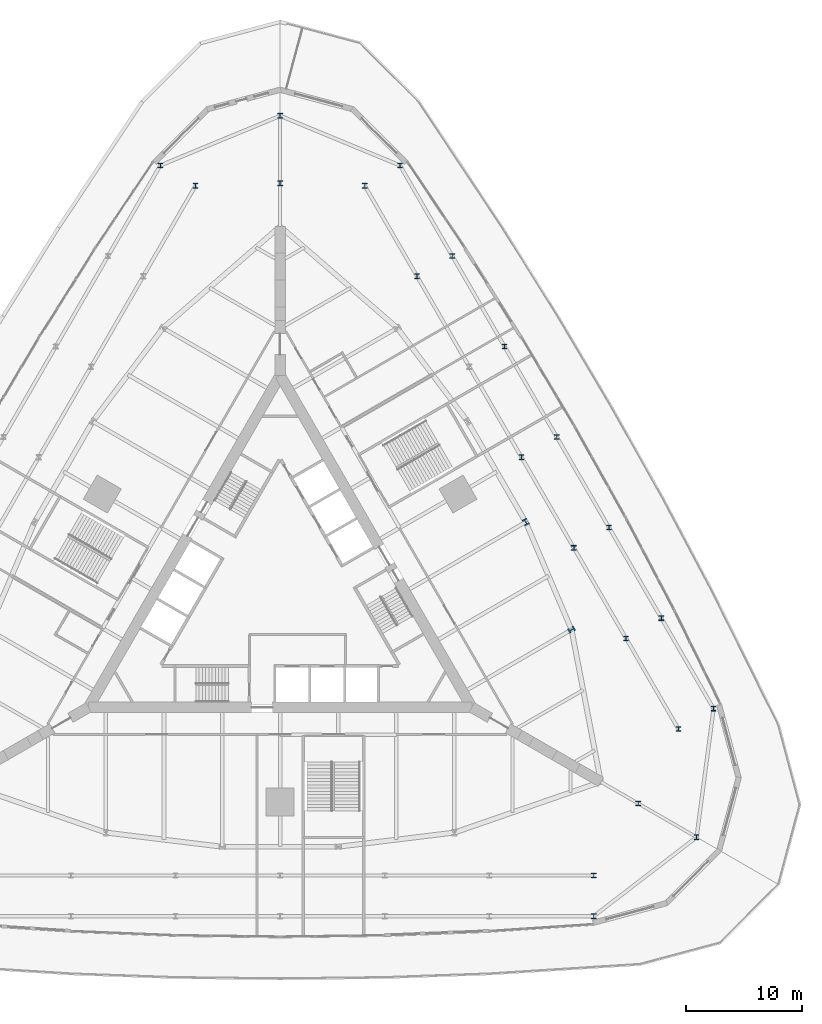
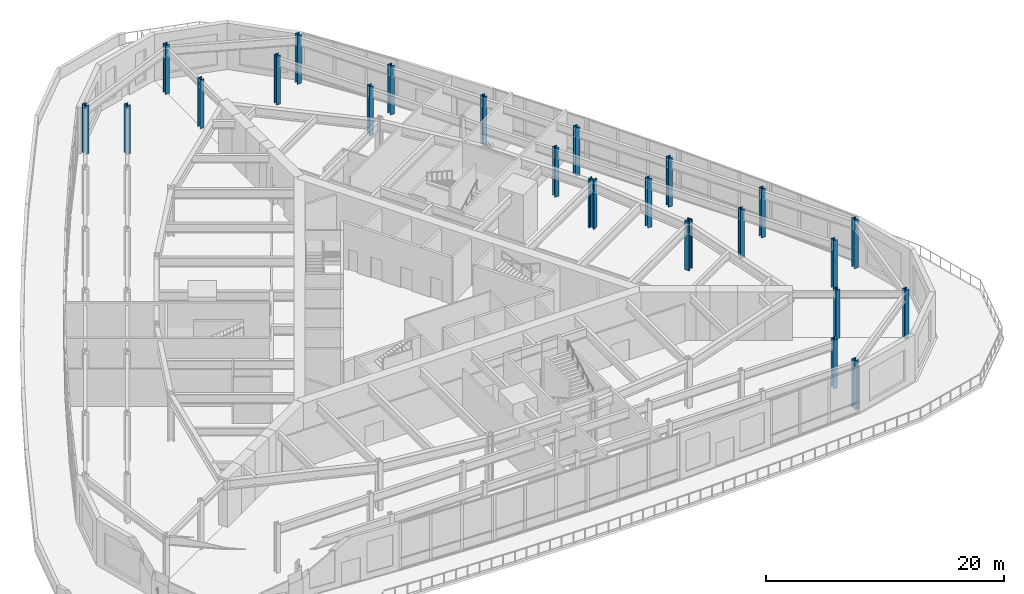
# One storey, part 2 of 20: 23 columns.
"""IFC4 building model written with IfcOpenShell, lengths in metres."""

from ifc_helpers import new_model, si_unit, direction, frame, origin, origin_2d, place, context, subcontext, project, spatial, i_section, extrude, material, material_profile, profile_set, type_object, element, save


model = new_model("IFC4")

# Units and contexts
model_context = context("Model", 3, precision=1e-05, world=origin(), true_north=direction((0.0, 1.0)))
body_context = subcontext(model_context, "Body", "Model", "MODEL_VIEW")
ifc_project = project(units=[si_unit("LENGTHUNIT", "METRE"), si_unit("AREAUNIT", "SQUARE_METRE"), si_unit("VOLUMEUNIT", "CUBIC_METRE"), si_unit("PLANEANGLEUNIT", "RADIAN"), si_unit("MASSUNIT", "GRAM", prefix="KILO")], contexts=[model_context])

# Site, building, storey
site_placement = place(None, origin())
site = spatial("IfcSite", under=ifc_project, at=site_placement, CompositionType="ELEMENT")
building_placement = place(site_placement, origin())
building = spatial("IfcBuilding", under=site, at=building_placement, Name="Trikona Tower", CompositionType="ELEMENT")
storey_placement = place(building_placement, frame((0.0, 0.0, 6.0)))
storey = spatial("IfcBuildingStorey", under=building, at=storey_placement, Name="L01", CompositionType="ELEMENT", Elevation=6.0)

# Columns
ifc_material_1 = material(Name="Steel ASTM A992 Grade 50", Category="steel")
ifc_material_profile_1 = material_profile(ifc_material_1, i_section(OverallWidth=0.406494140625, OverallDepth=0.41650390625, WebThickness=0.030029296875, FlangeThickness=0.048095703125, at=origin_2d()), Name="W14X257")
ifc_profile_set_1 = profile_set([ifc_material_profile_1], Name="Steel ASTM A992 Grade 50")
column_type_1 = type_object("IfcColumnType", Name="Steel column W14x257", PredefinedType="COLUMN", material=ifc_profile_set_1)
for number, where, z_axis, x_axis, name in (
    (1, (30.83056640625, -17.800048828125, 0.0), (0.0, 0.0, 1.0), (1.0, 0.0, 0.0), "Column K0D35.6"),
    (2, (35.853515625, -20.699951171875, 0.0), (0.0, 0.0, 1.0), (1.0, 0.0, 0.0), "Column K0D41.4"),
    (3, (0.0, 35.60009765625, 0.0), (0.0, 0.0, 1.0), (1.0, 0.0, 0.0), "Column K1D35.6"),
    (4, (0.0, 41.39990234375, 0.0), (0.0, 0.0, 1.0), (1.0, 0.0, 0.0), "Column K1D41.4"),
    (5, (27.0, -24.0, 0.0), (0.0, 0.0, 1.0), (1.0, 0.0, 0.0), "Column R24F0p27"),
    (6, (29.78466796875, -3.58837890625, 0.0), (0.0, 0.0, 1.0), (1.0, 0.0, 0.0), "Column R24F1m18"),
    (7, (34.28466796875, -11.3828125, 0.0), (0.0, 0.0, 1.0), (1.0, 0.0, 0.0), "Column R24F1m27"),
    (8, (25.28466796875, 4.205810546875, 0.0), (0.0, 0.0, 1.0), (1.0, 0.0, 0.0), "Column R24F1m9"),
    (9, (20.78466796875, 12.0, 0.0), (0.0, 0.0, 1.0), (1.0, 0.0, 0.0), "Column R24F1p0"),
    (10, (11.78466796875, 27.58837890625, 0.0), (0.0, 0.0, 1.0), (1.0, 0.0, 0.0), "Column R24F1p18"),
    (11, (7.28466796875, 35.3828125, 0.0), (0.0, 0.0, 1.0), (1.0, 0.0, 0.0), "Column R24F1p27"),
    (12, (-7.28466796875, 35.3828125, 0.0), (0.0, 0.0, 1.0), (1.0, 0.0, 0.0), "Column R24F2m27"),
    (13, (27.0, -27.5, 0.0), (0.0, 0.0, 1.0), (1.0, 0.0, 0.0), "Column R27.5F0p27"),
    (14, (32.815673828125, -1.83837890625, 0.0), (0.0, 0.0, 1.0), (1.0, 0.0, 0.0), "Column R27.5F1m18"),
    (15, (37.315673828125, -9.6328125, 0.0), (0.0, 0.0, 1.0), (1.0, 0.0, 0.0), "Column R27.5F1m27"),
    (16, (28.315673828125, 5.955810546875, 0.0), (0.0, 0.0, 1.0), (1.0, 0.0, 0.0), "Column R27.5F1m9"),
    (17, (23.815673828125, 13.75, 0.0), (0.0, 0.0, 1.0), (1.0, 0.0, 0.0), "Column R27.5F1p0"),
    (18, (14.815673828125, 29.33837890625, 0.0), (0.0, 0.0, 1.0), (1.0, 0.0, 0.0), "Column R27.5F1p18"),
    (19, (10.315673828125, 37.1328125, 0.0), (0.0, 0.0, 1.0), (1.0, 0.0, 0.0), "Column R27.5F1p27"),
    (20, (19.315673828125, 21.544189453125, 0.0), (0.0, 0.0, 1.0), (1.0, 0.0, 0.0), "Column R27.5F1p9"),
    (21, (-10.315673828125, 37.1328125, 0.0), (0.0, 0.0, 1.0), (1.0, 0.0, 0.0), "Column R27.5F2m27"),
):
    element("IfcColumn", number, at=place(storey_placement, frame(where, z_axis=z_axis, x_axis=x_axis)), inside=storey, type_object=column_type_1, Name=name, PredefinedType="COLUMN", context=body_context, shape_type="SweptSolid", body=[
        extrude(i_section(OverallWidth=0.406494140625, OverallDepth=0.41650390625, WebThickness=0.030029296875, FlangeThickness=0.048095703125, at=origin_2d()), origin(), (0.0, 0.0, 1.0), 5.0),
    ])
ifc_material_2 = material(Name="Steel ASTM A992 Grade 50", Category="steel")
ifc_material_profile_2 = material_profile(ifc_material_2, i_section(OverallWidth=0.45458984375, OverallDepth=0.56884765625, WebThickness=0.077880859375, FlangeThickness=0.124755859375, at=origin_2d()), Name="W14X730")
ifc_profile_set_2 = profile_set([ifc_material_profile_2], Name="Steel ASTM A992 Grade 50")
column_type_2 = type_object("IfcColumnType", Name="Steel column W14x730", PredefinedType="COLUMN", material=ifc_profile_set_2)
for number, where, z_axis, x_axis, name in (
    (22, (25.0830078125, -2.8388671875, 0.0), (0.0, 0.0, 1.0), (-0.5, 0.866025403784, 0.0), "Column F1m15"),
    (23, (21.13720703125, 6.43017578125, 0.0), (0.0, 0.0, 1.0), (0.866025403784, 0.5, 0.0), "Column F1m5"),
):
    element("IfcColumn", number, at=place(storey_placement, frame(where, z_axis=z_axis, x_axis=x_axis)), inside=storey, type_object=column_type_2, Name=name, PredefinedType="COLUMN", context=body_context, shape_type="SweptSolid", body=[
        extrude(i_section(OverallWidth=0.45458984375, OverallDepth=0.56884765625, WebThickness=0.077880859375, FlangeThickness=0.124755859375, at=origin_2d()), origin(), (0.0, 0.0, 1.0), 5.0),
    ])

save(model, "model.ifc")
